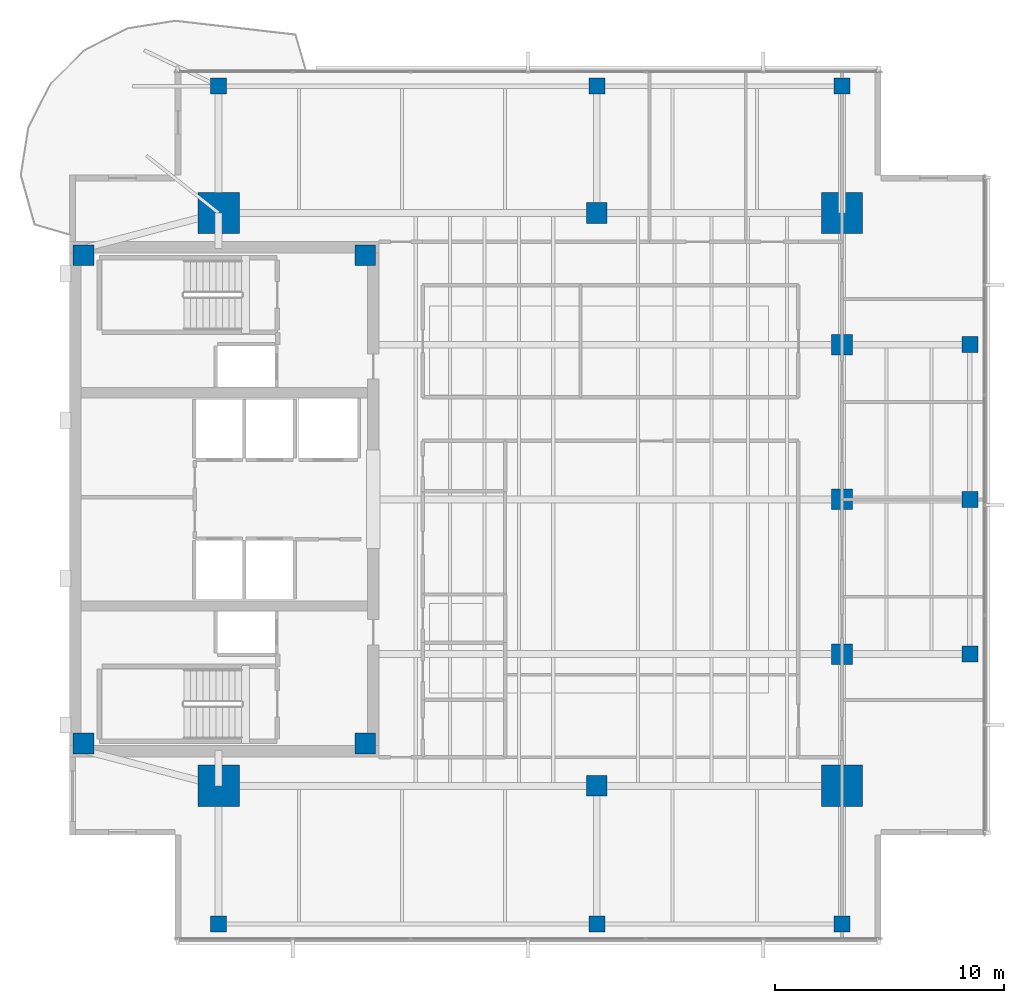
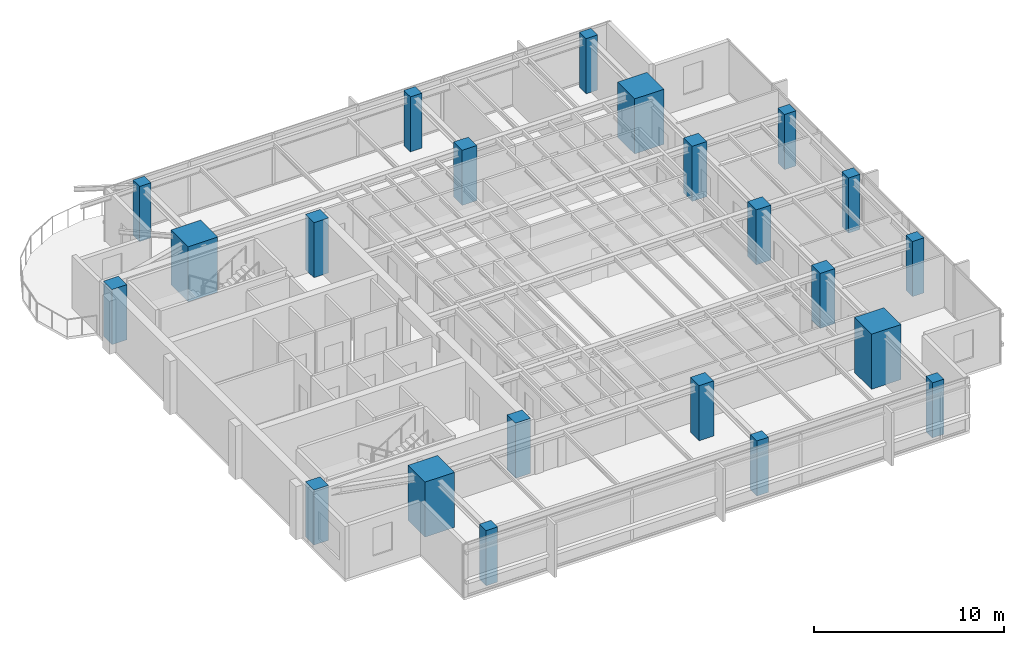
# One storey, part 1 of 14: 22 columns.
"""IFC4 building model written with IfcOpenShell, lengths in metres."""

from ifc_helpers import new_model, si_unit, direction, frame, origin, origin_2d, place, context, subcontext, project, spatial, rectangle, extrude, material, material_profile, profile_set, type_object, element, save


model = new_model("IFC4")

# Units and contexts
model_context = context("Model", 3, precision=1e-05, world=origin(), true_north=direction((0.0, 1.0)))
body_context = subcontext(model_context, "Body", "Model", "MODEL_VIEW")
ifc_project = project(units=[si_unit("LENGTHUNIT", "METRE"), si_unit("AREAUNIT", "SQUARE_METRE"), si_unit("VOLUMEUNIT", "CUBIC_METRE"), si_unit("PLANEANGLEUNIT", "RADIAN"), si_unit("MASSUNIT", "GRAM", prefix="KILO")], contexts=[model_context])

# Site, building, storey
site_placement = place(None, origin())
site = spatial("IfcSite", under=ifc_project, at=site_placement, CompositionType="ELEMENT")
building_placement = place(site_placement, origin())
building = spatial("IfcBuilding", under=site, at=building_placement, Name="Kinhvarn Gate Tower", CompositionType="ELEMENT")
storey_placement = place(building_placement, frame((0.0, 0.0, 284.75)))
storey = spatial("IfcBuildingStorey", under=building, at=storey_placement, Name="L76", CompositionType="ELEMENT", Elevation=284.75)

# Columns
ifc_material_1 = material(Name="Concrete C60/75", Category="concrete")
ifc_material_profile_1 = material_profile(ifc_material_1, rectangle(XDim=1.800048828125, YDim=1.800048828125, at=origin_2d()), Name="RC 1800x1800")
ifc_profile_set_1 = profile_set([ifc_material_profile_1], Name="Concrete C60/75")
column_type_1 = type_object("IfcColumnType", Name="COL-MC-1800", PredefinedType="COLUMN", material=ifc_profile_set_1)
for number, where, z_axis, x_axis, name in (
    (1, (11.0, 12.75, 0.0), (0.0, 0.0, 1.0), (1.0, 0.0, 0.0), "Column MC1-L76 (MC-18)"),
    (2, (11.0, 37.75, 0.0), (0.0, 0.0, 1.0), (1.0, 0.0, 0.0), "Column MC4-L76 (MC-18)"),
    (3, (38.199951171875, 12.75, 0.0), (0.0, 0.0, 1.0), (1.0, 0.0, 0.0), "Column MC2-L76 (MC-18)"),
    (4, (38.199951171875, 37.75, 0.0), (0.0, 0.0, 1.0), (1.0, 0.0, 0.0), "Column MC3-L76 (MC-18)"),
):
    element("IfcColumn", number, at=place(storey_placement, frame(where, z_axis=z_axis, x_axis=x_axis)), inside=storey, type_object=column_type_1, Name=name, PredefinedType="COLUMN", context=body_context, shape_type="SweptSolid", body=[
        extrude(rectangle(XDim=1.800048828125, YDim=1.800048828125, at=origin_2d()), origin(), (0.0, 0.0, 1.0), 3.550048828125),
    ])
ifc_material_2 = material(Name="Concrete C50/60", Category="concrete")
ifc_material_profile_2 = material_profile(ifc_material_2, rectangle(XDim=0.699951171875, YDim=0.699951171875, at=origin_2d()), Name="RC 700x700")
ifc_profile_set_2 = profile_set([ifc_material_profile_2], Name="Concrete C50/60")
column_type_2 = type_object("IfcColumnType", Name="COL-RC-700", PredefinedType="COLUMN", material=ifc_profile_set_2)
for number, where, z_axis, x_axis, name in (
    (5, (43.780029296875, 18.5, 0.0), (0.0, 0.0, 1.0), (1.0, 0.0, 0.0), "Column CE-1-L76 (C-070)"),
    (6, (43.780029296875, 25.25, 0.0), (0.0, 0.0, 1.0), (1.0, 0.0, 0.0), "Column CE-2-L76 (C-070)"),
    (7, (43.780029296875, 32.0, 0.0), (0.0, 0.0, 1.0), (1.0, 0.0, 0.0), "Column CE-3-L76 (C-070)"),
    (8, (11.0, 6.719970703125, 0.0), (0.0, 0.0, 1.0), (1.0, 0.0, 0.0), "Column CS-0-L76 (C-070)"),
    (9, (27.5, 6.719970703125, 0.0), (0.0, 0.0, 1.0), (1.0, 0.0, 0.0), "Column CS-1-L76 (C-070)"),
    (10, (38.199951171875, 6.719970703125, 0.0), (0.0, 0.0, 1.0), (1.0, 0.0, 0.0), "Column CS-2-L76 (C-070)"),
    (11, (11.0, 43.280029296875, 0.0), (0.0, 0.0, 1.0), (1.0, 0.0, 0.0), "Column CN-0-L76 (C-070)"),
    (12, (27.5, 43.280029296875, 0.0), (0.0, 0.0, 1.0), (1.0, 0.0, 0.0), "Column CN-1-L76 (C-070)"),
    (13, (38.199951171875, 43.280029296875, 0.0), (0.0, 0.0, 1.0), (1.0, 0.0, 0.0), "Column CN-2-L76 (C-070)"),
):
    element("IfcColumn", number, at=place(storey_placement, frame(where, z_axis=z_axis, x_axis=x_axis)), inside=storey, type_object=column_type_2, Name=name, PredefinedType="COLUMN", context=body_context, shape_type="SweptSolid", body=[
        extrude(rectangle(XDim=0.699951171875, YDim=0.699951171875, at=origin_2d()), origin(), (0.0, 0.0, 1.0), 3.550048828125),
    ])
ifc_material_profile_3 = material_profile(ifc_material_1, rectangle(XDim=0.89990234375, YDim=0.89990234375, at=origin_2d()), Name="RC 900x900")
ifc_profile_set_3 = profile_set([ifc_material_profile_3], Name="Concrete C60/75")
column_type_3 = type_object("IfcColumnType", Name="COL-RC-900", PredefinedType="COLUMN", material=ifc_profile_set_3)
for number, where, z_axis, x_axis, name in (
    (14, (27.5, 12.75, 0.0), (0.0, 0.0, 1.0), (1.0, 0.0, 0.0), "Column SP27-S-L76 (C-090)"),
    (15, (27.5, 37.75, 0.0), (0.0, 0.0, 1.0), (1.0, 0.0, 0.0), "Column SP27-N-L76 (C-090)"),
    (16, (38.199951171875, 18.5, 0.0), (0.0, 0.0, 1.0), (1.0, 0.0, 0.0), "Column SP38-E1-L76 (C-090)"),
    (17, (38.199951171875, 25.25, 0.0), (0.0, 0.0, 1.0), (1.0, 0.0, 0.0), "Column SP38-E2-L76 (C-090)"),
    (18, (38.199951171875, 32.0, 0.0), (0.0, 0.0, 1.0), (1.0, 0.0, 0.0), "Column SP38-E3-L76 (C-090)"),
):
    element("IfcColumn", number, at=place(storey_placement, frame(where, z_axis=z_axis, x_axis=x_axis)), inside=storey, type_object=column_type_3, Name=name, PredefinedType="COLUMN", context=body_context, shape_type="SweptSolid", body=[
        extrude(rectangle(XDim=0.89990234375, YDim=0.89990234375, at=origin_2d()), origin(), (0.0, 0.0, 1.0), 3.550048828125),
    ])
ifc_material_profile_4 = material_profile(ifc_material_2, rectangle(XDim=0.89990234375, YDim=0.89990234375, at=origin_2d()), Name="RC 900x900")
ifc_profile_set_4 = profile_set([ifc_material_profile_4], Name="Concrete C50/60")
column_type_4 = type_object("IfcColumnType", Name="PIL-RC-900", PredefinedType="PILASTER", material=ifc_profile_set_4)
for number, where, z_axis, x_axis, name in (
    (19, (5.10009765625, 14.60009765625, 0.0), (0.0, 0.0, 1.0), (1.0, 0.0, 0.0), "Column CC-SW-L76 (CP-090)"),
    (20, (5.10009765625, 35.89990234375, 0.0), (0.0, 0.0, 1.0), (1.0, 0.0, 0.0), "Column CC-NW-L76 (CP-090)"),
    (21, (17.39990234375, 14.60009765625, 0.0), (0.0, 0.0, 1.0), (1.0, 0.0, 0.0), "Column CC-SE-L76 (CP-090)"),
    (22, (17.39990234375, 35.89990234375, 0.0), (0.0, 0.0, 1.0), (1.0, 0.0, 0.0), "Column CC-NE-L76 (CP-090)"),
):
    element("IfcColumn", number, at=place(storey_placement, frame(where, z_axis=z_axis, x_axis=x_axis)), inside=storey, type_object=column_type_4, Name=name, PredefinedType="PILASTER", context=body_context, shape_type="SweptSolid", body=[
        extrude(rectangle(XDim=0.89990234375, YDim=0.89990234375, at=origin_2d()), origin(), (0.0, 0.0, 1.0), 3.550048828125),
    ])

save(model, "model.ifc")
